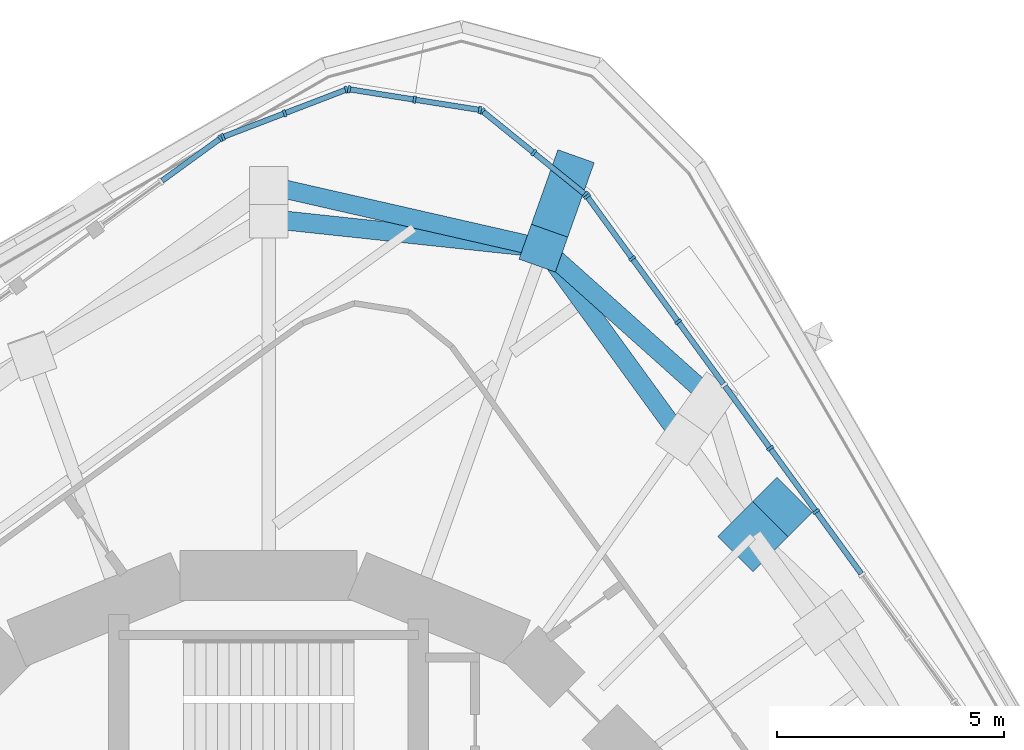
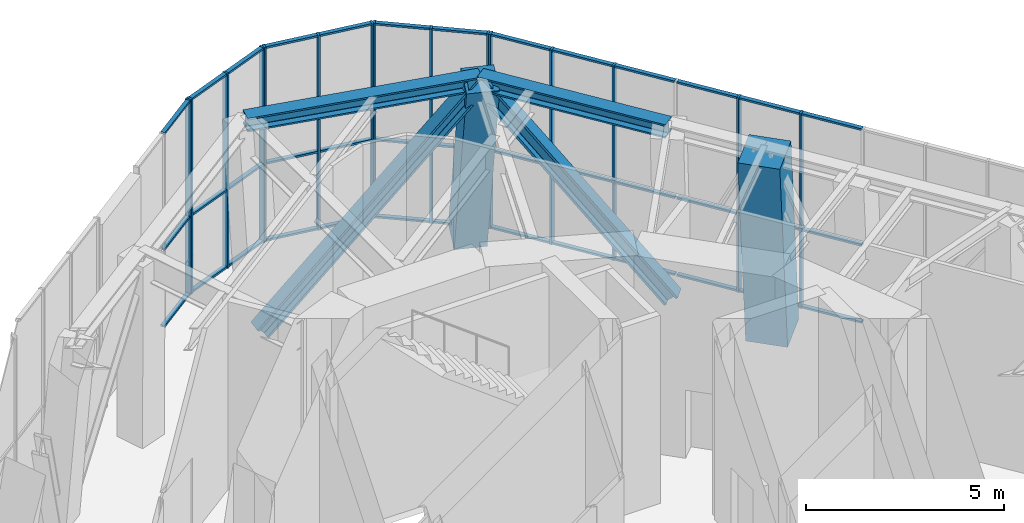
# One storey, part 9 of 18: 60 members, 5 elements without a shape of their own.
"""IFC4 building model written with IfcOpenShell, lengths in metres."""

from ifc_helpers import new_model, si_unit, direction, frame, origin, origin_2d, place, context, subcontext, project, spatial, rectangle, i_section, extrude, material, material_profile, profile_set, type_object, element, aggregate, save


model = new_model("IFC4")

# Units and contexts
model_context = context("Model", 3, precision=1e-05, world=origin(), true_north=direction((0.0, 1.0)))
body_context = subcontext(model_context, "Body", "Model", "MODEL_VIEW")
ifc_project = project(units=[si_unit("LENGTHUNIT", "METRE"), si_unit("AREAUNIT", "SQUARE_METRE"), si_unit("VOLUMEUNIT", "CUBIC_METRE"), si_unit("PLANEANGLEUNIT", "RADIAN"), si_unit("MASSUNIT", "GRAM", prefix="KILO")], contexts=[model_context])

# Site, building, storey
site_placement = place(None, origin())
site = spatial("IfcSite", under=ifc_project, at=site_placement, CompositionType="ELEMENT")
building_placement = place(site_placement, origin())
building = spatial("IfcBuilding", under=site, at=building_placement, Name="Nakasero Lantern House", CompositionType="ELEMENT")
storey_placement = place(building_placement, frame((0.0, 0.0, 257.75)))
storey = spatial("IfcBuildingStorey", under=building, at=storey_placement, Name="L63", CompositionType="ELEMENT", Elevation=257.75)

# Members
ifc_material_1 = material(Name="Steel S355", Category="steel")
ifc_material_profile_1 = material_profile(ifc_material_1, i_section(OverallWidth=0.406982421875, OverallDepth=0.4189453125, WebThickness=0.030517578125, FlangeThickness=0.04931640625, FilletRadius=0.01513671875, at=origin_2d()), Name="UC 356x406x393")
ifc_profile_set_1 = profile_set([ifc_material_profile_1], Name="Steel S355")
member_type_1 = type_object("IfcMemberType", Name="Belt truss chord UC 356x406x393", PredefinedType="CHORD", material=ifc_profile_set_1)
member_1_placement = place(storey_placement, frame((9.10986328125, 12.810791015625, 5.590576171875), z_axis=(-0.587806144414, 0.809001814948, 0.0), x_axis=(-0.809001814948, -0.587806144414, 0.0)))
element("IfcMember", 1, at=member_1_placement, inside=storey, type_object=member_type_1, Name="Belt truss top chord T6 B7-C07T", PredefinedType="CHORD", context=body_context, shape_type="SweptSolid", body=[
    extrude(i_section(OverallWidth=0.406982421875, OverallDepth=0.4189453125, WebThickness=0.030517578125, FlangeThickness=0.04931640625, FilletRadius=0.01513671875, at=origin_2d()), origin(), (0.0, 0.0, 1.0), 5.202880859375),
])
member_2_placement = place(storey_placement, frame((6.051513671875, 17.02001953125, 5.590576171875), z_axis=(-0.974974575944, 0.222316387753, 0.0), x_axis=(-0.222316387753, -0.974974575944, 0.0)))
element("IfcMember", 2, at=member_2_placement, inside=storey, type_object=member_type_1, Name="Belt truss top chord T6 B7-C08T", PredefinedType="CHORD", context=body_context, shape_type="SweptSolid", body=[
    extrude(i_section(OverallWidth=0.406982421875, OverallDepth=0.4189453125, WebThickness=0.030517578125, FlangeThickness=0.04931640625, FilletRadius=0.01513671875, at=origin_2d()), origin(), (0.0, 0.0, 1.0), 6.206787109375),
])
ifc_material_2 = material(Name="Steel S355", Category="steel")
ifc_material_profile_2 = material_profile(ifc_material_2, i_section(OverallWidth=0.41845703125, OverallDepth=0.45556640625, WebThickness=0.0419921875, FlangeThickness=0.0673828125, FilletRadius=0.01513671875, at=origin_2d()), Name="UC 356x406x551")
ifc_profile_set_2 = profile_set([ifc_material_profile_2], Name="Steel S355")
member_type_2 = type_object("IfcMemberType", Name="Belt truss diagonal UC 356x406x551", PredefinedType="BRACE", material=ifc_profile_set_2)
member_3_placement = place(storey_placement, frame((9.75048828125, 13.711669921875, -0.409423828125), z_axis=(-0.475057519393, 0.424889739641, 0.770577096997), x_axis=(-0.666653920157, -0.745367393129, 0.0)))
element("IfcMember", 3, at=member_3_placement, inside=storey, type_object=member_type_2, Name="Belt truss diagonal T6-07", PredefinedType="BRACE", context=body_context, shape_type="SweptSolid", body=[
    extrude(i_section(OverallWidth=0.41845703125, OverallDepth=0.45556640625, WebThickness=0.0419921875, FlangeThickness=0.0673828125, FilletRadius=0.01513671875, at=origin_2d()), origin(), (0.0, 0.0, 1.0), 7.786376953125),
])
member_4_placement = place(storey_placement, frame((6.051513671875, 17.02001953125, 5.590576171875), z_axis=(-0.708085084226, 0.075701999968, -0.702057491021), x_axis=(-0.106305076727, -0.994333561066, 0.0)))
element("IfcMember", 4, at=member_4_placement, inside=storey, type_object=member_type_2, Name="Belt truss diagonal T6-08", PredefinedType="BRACE", context=body_context, shape_type="SweptSolid", body=[
    extrude(i_section(OverallWidth=0.41845703125, OverallDepth=0.45556640625, WebThickness=0.0419921875, FlangeThickness=0.0673828125, FilletRadius=0.01513671875, at=origin_2d()), origin(), (0.0, 0.0, 1.0), 8.54638671875),
])

# Curtain wall, members
ifc_material_3 = material(Name="Aluminium 6063-T6 and glass", Category="aluminium")
curtain_wall_type = type_object("IfcCurtainWallType", Name="Sky lounge glazing CW-3", PredefinedType="USERDEFINED", material=ifc_material_3)
curtain_wall_1_placement = place(storey_placement, origin())
curtain_wall_1 = element("IfcCurtainWall", 5, at=curtain_wall_1_placement, inside=storey, type_object=curtain_wall_type, Name="Curtain wall CW-3 L63", ObjectType="STICK CURTAIN WALL", PredefinedType="USERDEFINED")
ifc_material_4 = material(Name="Aluminium 6063-T6", Category="aluminium")
ifc_material_profile_3 = material_profile(ifc_material_4, rectangle(XDim=0.06005859375, YDim=0.159912109375, at=origin_2d()), Name="CW-3 mullion 60x160")
ifc_profile_set_3 = profile_set([ifc_material_profile_3], Name="Aluminium 6063-T6")
member_type_3 = type_object("IfcMemberType", Name="Mullion CW-3", PredefinedType="MULLION", material=ifc_profile_set_3)
member_5_placement = place(storey_placement, frame((12.058349609375, 11.21923828125, 0.0), z_axis=(0.0, 0.0, 1.0), x_axis=(-0.587785252292, 0.809016994375, 0.0)))
member_5 = element("IfcMember", 6, at=member_5_placement, type_object=member_type_3, Name="CW-3 mullion 5", PredefinedType="MULLION", context=body_context, shape_type="SweptSolid", body=[
    extrude(rectangle(XDim=0.06005859375, YDim=0.159912109375, at=origin_2d()), origin(), (0.0, 0.0, 1.0), 6.0),
])
member_6_placement = place(storey_placement, frame((11.046142578125, 12.612548828125, 0.0), z_axis=(0.0, 0.0, 1.0), x_axis=(-0.587785252292, 0.809016994375, 0.0)))
member_6 = element("IfcMember", 7, at=member_6_placement, type_object=member_type_3, Name="CW-3 mullion 6", PredefinedType="MULLION", context=body_context, shape_type="SweptSolid", body=[
    extrude(rectangle(XDim=0.06005859375, YDim=0.159912109375, at=origin_2d()), origin(), (0.0, 0.0, 1.0), 6.0),
])
member_7_placement = place(storey_placement, frame((9.021484375, 15.399169921875, 0.0), z_axis=(0.0, 0.0, 1.0), x_axis=(-0.587785252292, 0.809016994375, 0.0)))
member_7 = element("IfcMember", 8, at=member_7_placement, type_object=member_type_3, Name="CW-3 mullion 8", PredefinedType="MULLION", context=body_context, shape_type="SweptSolid", body=[
    extrude(rectangle(XDim=0.06005859375, YDim=0.159912109375, at=origin_2d()), origin(), (0.0, 0.0, 1.0), 6.0),
])
member_8_placement = place(storey_placement, frame((8.00927734375, 16.79248046875, 0.0), z_axis=(0.0, 0.0, 1.0), x_axis=(-0.587785252292, 0.809016994375, 0.0)))
member_8 = element("IfcMember", 9, at=member_8_placement, type_object=member_type_3, Name="CW-3 mullion 9", PredefinedType="MULLION", context=body_context, shape_type="SweptSolid", body=[
    extrude(rectangle(XDim=0.06005859375, YDim=0.159912109375, at=origin_2d()), origin(), (0.0, 0.0, 1.0), 6.0),
])
member_9_placement = place(storey_placement, frame((7.0146484375, 18.16162109375, 0.0), z_axis=(0.0, 0.0, 1.0), x_axis=(-0.587785252292, 0.809016994375, 0.0)))
member_9 = element("IfcMember", 10, at=member_9_placement, type_object=member_type_3, Name="CW-3 mullion 10", PredefinedType="MULLION", context=body_context, shape_type="SweptSolid", body=[
    extrude(rectangle(XDim=0.06005859375, YDim=0.159912109375, at=origin_2d()), origin(), (0.0, 0.0, 1.0), 6.0),
])

curtain_wall_2_placement = place(storey_placement, origin())
curtain_wall_2 = element("IfcCurtainWall", 11, at=curtain_wall_2_placement, inside=storey, type_object=curtain_wall_type, Name="Curtain wall CW-3 L63", ObjectType="STICK CURTAIN WALL", PredefinedType="USERDEFINED")
member_10_placement = place(storey_placement, frame((6.9736328125, 18.204833984375, 0.0), z_axis=(0.0, 0.0, 1.0), x_axis=(-0.777145961457, 0.62932039105, 0.0)))
member_10 = element("IfcMember", 12, at=member_10_placement, type_object=member_type_3, Name="CW-3 mullion 1", PredefinedType="MULLION", context=body_context, shape_type="SweptSolid", body=[
    extrude(rectangle(XDim=0.06005859375, YDim=0.159912109375, at=origin_2d()), origin(), (0.0, 0.0, 1.0), 6.0),
])
member_11_placement = place(storey_placement, frame((5.84033203125, 19.122314453125, 0.0), z_axis=(0.0, 0.0, 1.0), x_axis=(-0.777145961457, 0.62932039105, 0.0)))
member_11 = element("IfcMember", 13, at=member_11_placement, type_object=member_type_3, Name="CW-3 mullion 2", PredefinedType="MULLION", context=body_context, shape_type="SweptSolid", body=[
    extrude(rectangle(XDim=0.06005859375, YDim=0.159912109375, at=origin_2d()), origin(), (0.0, 0.0, 1.0), 6.0),
])
member_12_placement = place(storey_placement, frame((4.70703125, 20.0400390625, 0.0), z_axis=(0.0, 0.0, 1.0), x_axis=(-0.777145961457, 0.62932039105, 0.0)))
member_12 = element("IfcMember", 14, at=member_12_placement, type_object=member_type_3, Name="CW-3 mullion 3", PredefinedType="MULLION", context=body_context, shape_type="SweptSolid", body=[
    extrude(rectangle(XDim=0.06005859375, YDim=0.159912109375, at=origin_2d()), origin(), (0.0, 0.0, 1.0), 6.0),
])

curtain_wall_3_placement = place(storey_placement, origin())
curtain_wall_3 = element("IfcCurtainWall", 15, at=curtain_wall_3_placement, inside=storey, type_object=curtain_wall_type, Name="Curtain wall CW-3 L63", ObjectType="STICK CURTAIN WALL", PredefinedType="USERDEFINED")
member_13_placement = place(storey_placement, frame((4.654052734375, 20.063720703125, 0.0), z_axis=(0.0, 0.0, 1.0), x_axis=(-0.987688340595, 0.15643446504, 0.0)))
member_13 = element("IfcMember", 16, at=member_13_placement, type_object=member_type_3, Name="CW-3 mullion 1", PredefinedType="MULLION", context=body_context, shape_type="SweptSolid", body=[
    extrude(rectangle(XDim=0.06005859375, YDim=0.159912109375, at=origin_2d()), origin(), (0.0, 0.0, 1.0), 6.0),
])
member_14_placement = place(storey_placement, frame((3.2138671875, 20.291748046875, 0.0), z_axis=(0.0, 0.0, 1.0), x_axis=(-0.987688340595, 0.15643446504, 0.0)))
member_14 = element("IfcMember", 17, at=member_14_placement, type_object=member_type_3, Name="CW-3 mullion 2", PredefinedType="MULLION", context=body_context, shape_type="SweptSolid", body=[
    extrude(rectangle(XDim=0.06005859375, YDim=0.159912109375, at=origin_2d()), origin(), (0.0, 0.0, 1.0), 6.0),
])
member_15_placement = place(storey_placement, frame((1.773681640625, 20.52001953125, 0.0), z_axis=(0.0, 0.0, 1.0), x_axis=(-0.987688340595, 0.15643446504, 0.0)))
member_15 = element("IfcMember", 18, at=member_15_placement, type_object=member_type_3, Name="CW-3 mullion 3", PredefinedType="MULLION", context=body_context, shape_type="SweptSolid", body=[
    extrude(rectangle(XDim=0.06005859375, YDim=0.159912109375, at=origin_2d()), origin(), (0.0, 0.0, 1.0), 6.0),
])

curtain_wall_4_placement = place(storey_placement, origin())
curtain_wall_4 = element("IfcCurtainWall", 19, at=curtain_wall_4_placement, inside=storey, type_object=curtain_wall_type, Name="Curtain wall CW-3 L63", ObjectType="STICK CURTAIN WALL", PredefinedType="USERDEFINED")
member_16_placement = place(storey_placement, frame((1.716064453125, 20.513916015625, 0.0), z_axis=(0.0, 0.0, 1.0), x_axis=(-0.933580426497, -0.358367949545, 0.0)))
member_16 = element("IfcMember", 20, at=member_16_placement, type_object=member_type_3, Name="CW-3 mullion 1", PredefinedType="MULLION", context=body_context, shape_type="SweptSolid", body=[
    extrude(rectangle(XDim=0.06005859375, YDim=0.159912109375, at=origin_2d()), origin(), (0.0, 0.0, 1.0), 6.0),
])
member_17_placement = place(storey_placement, frame((0.354736328125, 19.9912109375, 0.0), z_axis=(0.0, 0.0, 1.0), x_axis=(-0.933580426497, -0.358367949545, 0.0)))
member_17 = element("IfcMember", 21, at=member_17_placement, type_object=member_type_3, Name="CW-3 mullion 2", PredefinedType="MULLION", context=body_context, shape_type="SweptSolid", body=[
    extrude(rectangle(XDim=0.06005859375, YDim=0.159912109375, at=origin_2d()), origin(), (0.0, 0.0, 1.0), 6.0),
])
member_18_placement = place(storey_placement, frame((-1.006591796875, 19.46875, 0.0), z_axis=(0.0, 0.0, 1.0), x_axis=(-0.933580426497, -0.358367949545, 0.0)))
member_18 = element("IfcMember", 22, at=member_18_placement, type_object=member_type_3, Name="CW-3 mullion 3", PredefinedType="MULLION", context=body_context, shape_type="SweptSolid", body=[
    extrude(rectangle(XDim=0.06005859375, YDim=0.159912109375, at=origin_2d()), origin(), (0.0, 0.0, 1.0), 6.0),
])

# Curtain wall, member
curtain_wall_5_placement = place(storey_placement, origin())
curtain_wall_5 = element("IfcCurtainWall", 23, at=curtain_wall_5_placement, inside=storey, type_object=curtain_wall_type, Name="Curtain wall CW-3 L63", ObjectType="STICK CURTAIN WALL", PredefinedType="USERDEFINED")
member_19_placement = place(storey_placement, frame((-1.05908203125, 19.4404296875, 0.0), z_axis=(0.0, 0.0, 1.0), x_axis=(-0.809016994375, -0.587785252292, 0.0)))
member_19 = element("IfcMember", 24, at=member_19_placement, type_object=member_type_3, Name="CW-3 mullion 1", PredefinedType="MULLION", context=body_context, shape_type="SweptSolid", body=[
    extrude(rectangle(XDim=0.06005859375, YDim=0.159912109375, at=origin_2d()), origin(), (0.0, 0.0, 1.0), 6.0),
])

# Members
ifc_material_5 = material(Name="Concrete C45/55", Category="concrete")
ifc_material_profile_4 = material_profile(ifc_material_5, rectangle(XDim=1.10009765625, YDim=1.10009765625, at=origin_2d()), Name="RC 1100x1100")
ifc_profile_set_4 = profile_set([ifc_material_profile_4], Name="Concrete C45/55")
member_type_4 = type_object("IfcMemberType", Name="Raking column RC 1100x1100 C45/55", PredefinedType="STRUT", material=ifc_profile_set_4)
member_20_placement = place(storey_placement, frame((11.200439453125, 11.200439453125, -0.409423828125), z_axis=(-0.088173575657, -0.088173575657, 0.992194961241), x_axis=(0.707106781187, -0.707106781187, 0.0)))
element("IfcMember", 25, at=member_20_placement, inside=storey, type_object=member_type_4, Name="Raking column B7-C06T L63", PredefinedType="STRUT", context=body_context, shape_type="SweptSolid", body=[
    extrude(rectangle(XDim=1.10009765625, YDim=1.10009765625, at=origin_2d()), origin(), (0.0, 0.0, 1.0), 6.047119140625),
])
ifc_material_6 = material(Name="Concrete C45/55", Category="concrete")
ifc_material_profile_5 = material_profile(ifc_material_6, rectangle(XDim=0.85009765625, YDim=0.85009765625, at=origin_2d()), Name="RC 850x850")
ifc_profile_set_5 = profile_set([ifc_material_profile_5], Name="Concrete C45/55")
member_type_5 = type_object("IfcMemberType", Name="Raking column RC 850x850 C45/55", PredefinedType="STRUT", material=ifc_profile_set_5)
member_21_placement = place(storey_placement, frame((6.63525390625, 18.661376953125, -0.409423828125), z_axis=(-0.093431562277, -0.262710327558, 0.960340474501), x_axis=(0.942188145362, -0.335084315865, 0.0)))
element("IfcMember", 26, at=member_21_placement, inside=storey, type_object=member_type_5, Name="Raking column B7-C08T L63", PredefinedType="STRUT", context=body_context, shape_type="SweptSolid", body=[
    extrude(rectangle(XDim=0.85009765625, YDim=0.85009765625, at=origin_2d()), origin(), (0.0, 0.0, 1.0), 6.247802734375),
])

# Member
ifc_material_7 = material(Name="Aluminium 6063-T6", Category="aluminium")
ifc_material_profile_6 = material_profile(ifc_material_7, rectangle(XDim=0.06005859375, YDim=0.1201171875, at=origin_2d()), Name="CW-3 transom 60x120")
ifc_profile_set_6 = profile_set([ifc_material_profile_6], Name="Aluminium 6063-T6")
member_type_6 = type_object("IfcMemberType", Name="Transom CW-3", PredefinedType="USERDEFINED", material=ifc_profile_set_6)
member_22_placement = place(storey_placement, frame((13.052978515625, 9.850341796875, 0.030029296875), z_axis=(-0.58780483972, 0.809002762913, 0.0), x_axis=(0.0, 0.0, 1.0)))
member_22 = element("IfcMember", 27, at=member_22_placement, type_object=member_type_6, Name="CW-3 transom 4.1", ObjectType="TRANSOM", PredefinedType="USERDEFINED", context=body_context, shape_type="SweptSolid", body=[
    extrude(rectangle(XDim=0.06005859375, YDim=0.1201171875, at=origin_2d()), origin(), (0.0, 0.0, 1.0), 1.662109375),
])

member_23_placement = place(storey_placement, frame((13.052978515625, 9.850341796875, 2.39990234375), z_axis=(-0.58780483972, 0.809002762913, 0.0), x_axis=(0.0, 0.0, 1.0)))
member_23 = element("IfcMember", 28, at=member_23_placement, type_object=member_type_6, Name="CW-3 transom 4.2", ObjectType="TRANSOM", PredefinedType="USERDEFINED", context=body_context, shape_type="SweptSolid", body=[
    extrude(rectangle(XDim=0.06005859375, YDim=0.1201171875, at=origin_2d()), origin(), (0.0, 0.0, 1.0), 1.662109375),
])

member_24_placement = place(storey_placement, frame((13.052978515625, 9.850341796875, 5.969970703125), z_axis=(-0.58780483972, 0.809002762913, 0.0), x_axis=(0.0, 0.0, 1.0)))
member_24 = element("IfcMember", 29, at=member_24_placement, type_object=member_type_6, Name="CW-3 transom 4.3", ObjectType="TRANSOM", PredefinedType="USERDEFINED", context=body_context, shape_type="SweptSolid", body=[
    extrude(rectangle(XDim=0.06005859375, YDim=0.1201171875, at=origin_2d()), origin(), (0.0, 0.0, 1.0), 1.662109375),
])

member_25_placement = place(storey_placement, frame((12.040771484375, 11.24365234375, 0.030029296875), z_axis=(-0.58780483972, 0.809002762913, 0.0), x_axis=(0.0, 0.0, 1.0)))
member_25 = element("IfcMember", 30, at=member_25_placement, type_object=member_type_6, Name="CW-3 transom 5.1", ObjectType="TRANSOM", PredefinedType="USERDEFINED", context=body_context, shape_type="SweptSolid", body=[
    extrude(rectangle(XDim=0.06005859375, YDim=0.1201171875, at=origin_2d()), origin(), (0.0, 0.0, 1.0), 1.662109375),
])

member_26_placement = place(storey_placement, frame((12.040771484375, 11.24365234375, 2.39990234375), z_axis=(-0.58780483972, 0.809002762913, 0.0), x_axis=(0.0, 0.0, 1.0)))
member_26 = element("IfcMember", 31, at=member_26_placement, type_object=member_type_6, Name="CW-3 transom 5.2", ObjectType="TRANSOM", PredefinedType="USERDEFINED", context=body_context, shape_type="SweptSolid", body=[
    extrude(rectangle(XDim=0.06005859375, YDim=0.1201171875, at=origin_2d()), origin(), (0.0, 0.0, 1.0), 1.662109375),
])

member_27_placement = place(storey_placement, frame((12.040771484375, 11.24365234375, 5.969970703125), z_axis=(-0.58780483972, 0.809002762913, 0.0), x_axis=(0.0, 0.0, 1.0)))
member_27 = element("IfcMember", 32, at=member_27_placement, type_object=member_type_6, Name="CW-3 transom 5.3", ObjectType="TRANSOM", PredefinedType="USERDEFINED", context=body_context, shape_type="SweptSolid", body=[
    extrude(rectangle(XDim=0.06005859375, YDim=0.1201171875, at=origin_2d()), origin(), (0.0, 0.0, 1.0), 1.662109375),
])

member_28_placement = place(storey_placement, frame((11.028564453125, 12.636962890625, 0.030029296875), z_axis=(-0.58780483972, 0.809002762913, 0.0), x_axis=(0.0, 0.0, 1.0)))
member_28 = element("IfcMember", 33, at=member_28_placement, type_object=member_type_6, Name="CW-3 transom 6.1", ObjectType="TRANSOM", PredefinedType="USERDEFINED", context=body_context, shape_type="SweptSolid", body=[
    extrude(rectangle(XDim=0.06005859375, YDim=0.1201171875, at=origin_2d()), origin(), (0.0, 0.0, 1.0), 1.662109375),
])

member_29_placement = place(storey_placement, frame((11.028564453125, 12.636962890625, 2.39990234375), z_axis=(-0.58780483972, 0.809002762913, 0.0), x_axis=(0.0, 0.0, 1.0)))
member_29 = element("IfcMember", 34, at=member_29_placement, type_object=member_type_6, Name="CW-3 transom 6.2", ObjectType="TRANSOM", PredefinedType="USERDEFINED", context=body_context, shape_type="SweptSolid", body=[
    extrude(rectangle(XDim=0.06005859375, YDim=0.1201171875, at=origin_2d()), origin(), (0.0, 0.0, 1.0), 1.662109375),
])

member_30_placement = place(storey_placement, frame((11.028564453125, 12.636962890625, 5.969970703125), z_axis=(-0.58780483972, 0.809002762913, 0.0), x_axis=(0.0, 0.0, 1.0)))
member_30 = element("IfcMember", 35, at=member_30_placement, type_object=member_type_6, Name="CW-3 transom 6.3", ObjectType="TRANSOM", PredefinedType="USERDEFINED", context=body_context, shape_type="SweptSolid", body=[
    extrude(rectangle(XDim=0.06005859375, YDim=0.1201171875, at=origin_2d()), origin(), (0.0, 0.0, 1.0), 1.662109375),
])

member_31_placement = place(storey_placement, frame((10.01611328125, 14.0302734375, 0.030029296875), z_axis=(-0.58780483972, 0.809002762913, 0.0), x_axis=(0.0, 0.0, 1.0)))
member_31 = element("IfcMember", 36, at=member_31_placement, type_object=member_type_6, Name="CW-3 transom 7.1", ObjectType="TRANSOM", PredefinedType="USERDEFINED", context=body_context, shape_type="SweptSolid", body=[
    extrude(rectangle(XDim=0.06005859375, YDim=0.1201171875, at=origin_2d()), origin(), (0.0, 0.0, 1.0), 1.662109375),
])

member_32_placement = place(storey_placement, frame((10.01611328125, 14.0302734375, 2.39990234375), z_axis=(-0.58780483972, 0.809002762913, 0.0), x_axis=(0.0, 0.0, 1.0)))
member_32 = element("IfcMember", 37, at=member_32_placement, type_object=member_type_6, Name="CW-3 transom 7.2", ObjectType="TRANSOM", PredefinedType="USERDEFINED", context=body_context, shape_type="SweptSolid", body=[
    extrude(rectangle(XDim=0.06005859375, YDim=0.1201171875, at=origin_2d()), origin(), (0.0, 0.0, 1.0), 1.662109375),
])

member_33_placement = place(storey_placement, frame((10.01611328125, 14.0302734375, 5.969970703125), z_axis=(-0.58780483972, 0.809002762913, 0.0), x_axis=(0.0, 0.0, 1.0)))
member_33 = element("IfcMember", 38, at=member_33_placement, type_object=member_type_6, Name="CW-3 transom 7.3", ObjectType="TRANSOM", PredefinedType="USERDEFINED", context=body_context, shape_type="SweptSolid", body=[
    extrude(rectangle(XDim=0.06005859375, YDim=0.1201171875, at=origin_2d()), origin(), (0.0, 0.0, 1.0), 1.662109375),
])

member_34_placement = place(storey_placement, frame((9.00390625, 15.423583984375, 0.030029296875), z_axis=(-0.58780483972, 0.809002762913, 0.0), x_axis=(0.0, 0.0, 1.0)))
member_34 = element("IfcMember", 39, at=member_34_placement, type_object=member_type_6, Name="CW-3 transom 8.1", ObjectType="TRANSOM", PredefinedType="USERDEFINED", context=body_context, shape_type="SweptSolid", body=[
    extrude(rectangle(XDim=0.06005859375, YDim=0.1201171875, at=origin_2d()), origin(), (0.0, 0.0, 1.0), 1.662109375),
])

member_35_placement = place(storey_placement, frame((9.00390625, 15.423583984375, 2.39990234375), z_axis=(-0.58780483972, 0.809002762913, 0.0), x_axis=(0.0, 0.0, 1.0)))
member_35 = element("IfcMember", 40, at=member_35_placement, type_object=member_type_6, Name="CW-3 transom 8.2", ObjectType="TRANSOM", PredefinedType="USERDEFINED", context=body_context, shape_type="SweptSolid", body=[
    extrude(rectangle(XDim=0.06005859375, YDim=0.1201171875, at=origin_2d()), origin(), (0.0, 0.0, 1.0), 1.662109375),
])

member_36_placement = place(storey_placement, frame((9.00390625, 15.423583984375, 5.969970703125), z_axis=(-0.58780483972, 0.809002762913, 0.0), x_axis=(0.0, 0.0, 1.0)))
member_36 = element("IfcMember", 41, at=member_36_placement, type_object=member_type_6, Name="CW-3 transom 8.3", ObjectType="TRANSOM", PredefinedType="USERDEFINED", context=body_context, shape_type="SweptSolid", body=[
    extrude(rectangle(XDim=0.06005859375, YDim=0.1201171875, at=origin_2d()), origin(), (0.0, 0.0, 1.0), 1.662109375),
])

member_37_placement = place(storey_placement, frame((7.991455078125, 16.81689453125, 0.030029296875), z_axis=(-0.587771349354, 0.809027095268, 0.0), x_axis=(0.0, 0.0, 1.0)))
member_37 = element("IfcMember", 42, at=member_37_placement, type_object=member_type_6, Name="CW-3 transom 9.1", ObjectType="TRANSOM", PredefinedType="USERDEFINED", context=body_context, shape_type="SweptSolid", body=[
    extrude(rectangle(XDim=0.06005859375, YDim=0.1201171875, at=origin_2d()), origin(), (0.0, 0.0, 1.0), 1.632080078125),
])

member_38_placement = place(storey_placement, frame((7.991455078125, 16.81689453125, 2.39990234375), z_axis=(-0.587771349354, 0.809027095268, 0.0), x_axis=(0.0, 0.0, 1.0)))
member_38 = element("IfcMember", 43, at=member_38_placement, type_object=member_type_6, Name="CW-3 transom 9.2", ObjectType="TRANSOM", PredefinedType="USERDEFINED", context=body_context, shape_type="SweptSolid", body=[
    extrude(rectangle(XDim=0.06005859375, YDim=0.1201171875, at=origin_2d()), origin(), (0.0, 0.0, 1.0), 1.632080078125),
])

member_39_placement = place(storey_placement, frame((7.991455078125, 16.81689453125, 5.969970703125), z_axis=(-0.587771349354, 0.809027095268, 0.0), x_axis=(0.0, 0.0, 1.0)))
member_39 = element("IfcMember", 44, at=member_39_placement, type_object=member_type_6, Name="CW-3 transom 9.3", ObjectType="TRANSOM", PredefinedType="USERDEFINED", context=body_context, shape_type="SweptSolid", body=[
    extrude(rectangle(XDim=0.06005859375, YDim=0.1201171875, at=origin_2d()), origin(), (0.0, 0.0, 1.0), 1.632080078125),
])

aggregate(curtain_wall_1, [member_5, member_6, member_7, member_8, member_9, member_22, member_23, member_24, member_25, member_26, member_27, member_28, member_29, member_30, member_31, member_32, member_33, member_34, member_35, member_36, member_37, member_38, member_39])

member_40_placement = place(storey_placement, frame((6.9501953125, 18.2236328125, 0.030029296875), z_axis=(-0.777106582707, 0.629369016646, 0.0), x_axis=(0.0, 0.0, 1.0)))
member_40 = element("IfcMember", 45, at=member_40_placement, type_object=member_type_6, Name="CW-3 transom 1.1", ObjectType="TRANSOM", PredefinedType="USERDEFINED", context=body_context, shape_type="SweptSolid", body=[
    extrude(rectangle(XDim=0.06005859375, YDim=0.1201171875, at=origin_2d()), origin(), (0.0, 0.0, 1.0), 1.39794921875),
])

member_41_placement = place(storey_placement, frame((6.9501953125, 18.2236328125, 2.39990234375), z_axis=(-0.777106582707, 0.629369016646, 0.0), x_axis=(0.0, 0.0, 1.0)))
member_41 = element("IfcMember", 46, at=member_41_placement, type_object=member_type_6, Name="CW-3 transom 1.2", ObjectType="TRANSOM", PredefinedType="USERDEFINED", context=body_context, shape_type="SweptSolid", body=[
    extrude(rectangle(XDim=0.06005859375, YDim=0.1201171875, at=origin_2d()), origin(), (0.0, 0.0, 1.0), 1.39794921875),
])

member_42_placement = place(storey_placement, frame((6.9501953125, 18.2236328125, 5.969970703125), z_axis=(-0.777106582707, 0.629369016646, 0.0), x_axis=(0.0, 0.0, 1.0)))
member_42 = element("IfcMember", 47, at=member_42_placement, type_object=member_type_6, Name="CW-3 transom 1.3", ObjectType="TRANSOM", PredefinedType="USERDEFINED", context=body_context, shape_type="SweptSolid", body=[
    extrude(rectangle(XDim=0.06005859375, YDim=0.1201171875, at=origin_2d()), origin(), (0.0, 0.0, 1.0), 1.39794921875),
])

member_43_placement = place(storey_placement, frame((5.817138671875, 19.141357421875, 0.030029296875), z_axis=(-0.777175740781, 0.629283614868, 0.0), x_axis=(0.0, 0.0, 1.0)))
member_43 = element("IfcMember", 48, at=member_43_placement, type_object=member_type_6, Name="CW-3 transom 2.1", ObjectType="TRANSOM", PredefinedType="USERDEFINED", context=body_context, shape_type="SweptSolid", body=[
    extrude(rectangle(XDim=0.06005859375, YDim=0.1201171875, at=origin_2d()), origin(), (0.0, 0.0, 1.0), 1.398193359375),
])

member_44_placement = place(storey_placement, frame((5.817138671875, 19.141357421875, 2.39990234375), z_axis=(-0.777175740781, 0.629283614868, 0.0), x_axis=(0.0, 0.0, 1.0)))
member_44 = element("IfcMember", 49, at=member_44_placement, type_object=member_type_6, Name="CW-3 transom 2.2", ObjectType="TRANSOM", PredefinedType="USERDEFINED", context=body_context, shape_type="SweptSolid", body=[
    extrude(rectangle(XDim=0.06005859375, YDim=0.1201171875, at=origin_2d()), origin(), (0.0, 0.0, 1.0), 1.398193359375),
])

member_45_placement = place(storey_placement, frame((5.817138671875, 19.141357421875, 5.969970703125), z_axis=(-0.777175740781, 0.629283614868, 0.0), x_axis=(0.0, 0.0, 1.0)))
member_45 = element("IfcMember", 50, at=member_45_placement, type_object=member_type_6, Name="CW-3 transom 2.3", ObjectType="TRANSOM", PredefinedType="USERDEFINED", context=body_context, shape_type="SweptSolid", body=[
    extrude(rectangle(XDim=0.06005859375, YDim=0.1201171875, at=origin_2d()), origin(), (0.0, 0.0, 1.0), 1.398193359375),
])

aggregate(curtain_wall_2, [member_10, member_11, member_12, member_40, member_41, member_42, member_43, member_44, member_45])

member_46_placement = place(storey_placement, frame((4.62451171875, 20.068359375, 0.030029296875), z_axis=(-0.987683548127, 0.156464720495, 0.0), x_axis=(0.0, 0.0, 1.0)))
member_46 = element("IfcMember", 51, at=member_46_placement, type_object=member_type_6, Name="CW-3 transom 1.1", ObjectType="TRANSOM", PredefinedType="USERDEFINED", context=body_context, shape_type="SweptSolid", body=[
    extrude(rectangle(XDim=0.06005859375, YDim=0.1201171875, at=origin_2d()), origin(), (0.0, 0.0, 1.0), 1.398193359375),
])

member_47_placement = place(storey_placement, frame((4.62451171875, 20.068359375, 2.39990234375), z_axis=(-0.987683548127, 0.156464720495, 0.0), x_axis=(0.0, 0.0, 1.0)))
member_47 = element("IfcMember", 52, at=member_47_placement, type_object=member_type_6, Name="CW-3 transom 1.2", ObjectType="TRANSOM", PredefinedType="USERDEFINED", context=body_context, shape_type="SweptSolid", body=[
    extrude(rectangle(XDim=0.06005859375, YDim=0.1201171875, at=origin_2d()), origin(), (0.0, 0.0, 1.0), 1.398193359375),
])

member_48_placement = place(storey_placement, frame((4.62451171875, 20.068359375, 5.969970703125), z_axis=(-0.987683548127, 0.156464720495, 0.0), x_axis=(0.0, 0.0, 1.0)))
member_48 = element("IfcMember", 53, at=member_48_placement, type_object=member_type_6, Name="CW-3 transom 1.3", ObjectType="TRANSOM", PredefinedType="USERDEFINED", context=body_context, shape_type="SweptSolid", body=[
    extrude(rectangle(XDim=0.06005859375, YDim=0.1201171875, at=origin_2d()), origin(), (0.0, 0.0, 1.0), 1.398193359375),
])

member_49_placement = place(storey_placement, frame((3.184326171875, 20.29638671875, 0.030029296875), z_axis=(-0.987687822072, 0.156437738833, 0.0), x_axis=(0.0, 0.0, 1.0)))
member_49 = element("IfcMember", 54, at=member_49_placement, type_object=member_type_6, Name="CW-3 transom 2.1", ObjectType="TRANSOM", PredefinedType="USERDEFINED", context=body_context, shape_type="SweptSolid", body=[
    extrude(rectangle(XDim=0.06005859375, YDim=0.1201171875, at=origin_2d()), origin(), (0.0, 0.0, 1.0), 1.3984375),
])

member_50_placement = place(storey_placement, frame((3.184326171875, 20.29638671875, 2.39990234375), z_axis=(-0.987687822072, 0.156437738833, 0.0), x_axis=(0.0, 0.0, 1.0)))
member_50 = element("IfcMember", 55, at=member_50_placement, type_object=member_type_6, Name="CW-3 transom 2.2", ObjectType="TRANSOM", PredefinedType="USERDEFINED", context=body_context, shape_type="SweptSolid", body=[
    extrude(rectangle(XDim=0.06005859375, YDim=0.1201171875, at=origin_2d()), origin(), (0.0, 0.0, 1.0), 1.3984375),
])

member_51_placement = place(storey_placement, frame((3.184326171875, 20.29638671875, 5.969970703125), z_axis=(-0.987687822072, 0.156437738833, 0.0), x_axis=(0.0, 0.0, 1.0)))
member_51 = element("IfcMember", 56, at=member_51_placement, type_object=member_type_6, Name="CW-3 transom 2.3", ObjectType="TRANSOM", PredefinedType="USERDEFINED", context=body_context, shape_type="SweptSolid", body=[
    extrude(rectangle(XDim=0.06005859375, YDim=0.1201171875, at=origin_2d()), origin(), (0.0, 0.0, 1.0), 1.3984375),
])

aggregate(curtain_wall_3, [member_13, member_14, member_15, member_46, member_47, member_48, member_49, member_50, member_51])

member_52_placement = place(storey_placement, frame((1.68798828125, 20.503173828125, 0.030029296875), z_axis=(-0.933552443557, -0.358440839092, 0.0), x_axis=(0.0, 0.0, 1.0)))
member_52 = element("IfcMember", 57, at=member_52_placement, type_object=member_type_6, Name="CW-3 transom 1.1", ObjectType="TRANSOM", PredefinedType="USERDEFINED", context=body_context, shape_type="SweptSolid", body=[
    extrude(rectangle(XDim=0.06005859375, YDim=0.1201171875, at=origin_2d()), origin(), (0.0, 0.0, 1.0), 1.3984375),
])

member_53_placement = place(storey_placement, frame((1.68798828125, 20.503173828125, 2.39990234375), z_axis=(-0.933552443557, -0.358440839092, 0.0), x_axis=(0.0, 0.0, 1.0)))
member_53 = element("IfcMember", 58, at=member_53_placement, type_object=member_type_6, Name="CW-3 transom 1.2", ObjectType="TRANSOM", PredefinedType="USERDEFINED", context=body_context, shape_type="SweptSolid", body=[
    extrude(rectangle(XDim=0.06005859375, YDim=0.1201171875, at=origin_2d()), origin(), (0.0, 0.0, 1.0), 1.3984375),
])

member_54_placement = place(storey_placement, frame((1.68798828125, 20.503173828125, 5.969970703125), z_axis=(-0.933552443557, -0.358440839092, 0.0), x_axis=(0.0, 0.0, 1.0)))
member_54 = element("IfcMember", 59, at=member_54_placement, type_object=member_type_6, Name="CW-3 transom 1.3", ObjectType="TRANSOM", PredefinedType="USERDEFINED", context=body_context, shape_type="SweptSolid", body=[
    extrude(rectangle(XDim=0.06005859375, YDim=0.1201171875, at=origin_2d()), origin(), (0.0, 0.0, 1.0), 1.3984375),
])

member_55_placement = place(storey_placement, frame((0.32666015625, 19.98046875, 0.030029296875), z_axis=(-0.93361085793, -0.35828866289, 0.0), x_axis=(0.0, 0.0, 1.0)))
member_55 = element("IfcMember", 60, at=member_55_placement, type_object=member_type_6, Name="CW-3 transom 2.1", ObjectType="TRANSOM", PredefinedType="USERDEFINED", context=body_context, shape_type="SweptSolid", body=[
    extrude(rectangle(XDim=0.06005859375, YDim=0.1201171875, at=origin_2d()), origin(), (0.0, 0.0, 1.0), 1.398193359375),
])

member_56_placement = place(storey_placement, frame((0.32666015625, 19.98046875, 2.39990234375), z_axis=(-0.93361085793, -0.35828866289, 0.0), x_axis=(0.0, 0.0, 1.0)))
member_56 = element("IfcMember", 61, at=member_56_placement, type_object=member_type_6, Name="CW-3 transom 2.2", ObjectType="TRANSOM", PredefinedType="USERDEFINED", context=body_context, shape_type="SweptSolid", body=[
    extrude(rectangle(XDim=0.06005859375, YDim=0.1201171875, at=origin_2d()), origin(), (0.0, 0.0, 1.0), 1.398193359375),
])

member_57_placement = place(storey_placement, frame((0.32666015625, 19.98046875, 5.969970703125), z_axis=(-0.93361085793, -0.35828866289, 0.0), x_axis=(0.0, 0.0, 1.0)))
member_57 = element("IfcMember", 62, at=member_57_placement, type_object=member_type_6, Name="CW-3 transom 2.3", ObjectType="TRANSOM", PredefinedType="USERDEFINED", context=body_context, shape_type="SweptSolid", body=[
    extrude(rectangle(XDim=0.06005859375, YDim=0.1201171875, at=origin_2d()), origin(), (0.0, 0.0, 1.0), 1.398193359375),
])

aggregate(curtain_wall_4, [member_16, member_17, member_18, member_52, member_53, member_54, member_55, member_56, member_57])

member_58_placement = place(storey_placement, frame((-1.083251953125, 19.422607421875, 0.030029296875), z_axis=(-0.809054083205, -0.58773420051, 0.0), x_axis=(0.0, 0.0, 1.0)))
member_58 = element("IfcMember", 63, at=member_58_placement, type_object=member_type_6, Name="CW-3 transom 1.1", ObjectType="TRANSOM", PredefinedType="USERDEFINED", context=body_context, shape_type="SweptSolid", body=[
    extrude(rectangle(XDim=0.06005859375, YDim=0.1201171875, at=origin_2d()), origin(), (0.0, 0.0, 1.0), 1.559814453125),
])

member_59_placement = place(storey_placement, frame((-1.083251953125, 19.422607421875, 2.39990234375), z_axis=(-0.809054083205, -0.58773420051, 0.0), x_axis=(0.0, 0.0, 1.0)))
member_59 = element("IfcMember", 64, at=member_59_placement, type_object=member_type_6, Name="CW-3 transom 1.2", ObjectType="TRANSOM", PredefinedType="USERDEFINED", context=body_context, shape_type="SweptSolid", body=[
    extrude(rectangle(XDim=0.06005859375, YDim=0.1201171875, at=origin_2d()), origin(), (0.0, 0.0, 1.0), 1.559814453125),
])

member_60_placement = place(storey_placement, frame((-1.083251953125, 19.422607421875, 5.969970703125), z_axis=(-0.809054083205, -0.58773420051, 0.0), x_axis=(0.0, 0.0, 1.0)))
member_60 = element("IfcMember", 65, at=member_60_placement, type_object=member_type_6, Name="CW-3 transom 1.3", ObjectType="TRANSOM", PredefinedType="USERDEFINED", context=body_context, shape_type="SweptSolid", body=[
    extrude(rectangle(XDim=0.06005859375, YDim=0.1201171875, at=origin_2d()), origin(), (0.0, 0.0, 1.0), 1.559814453125),
])

aggregate(curtain_wall_5, [member_19, member_58, member_59, member_60])

save(model, "model.ifc")
